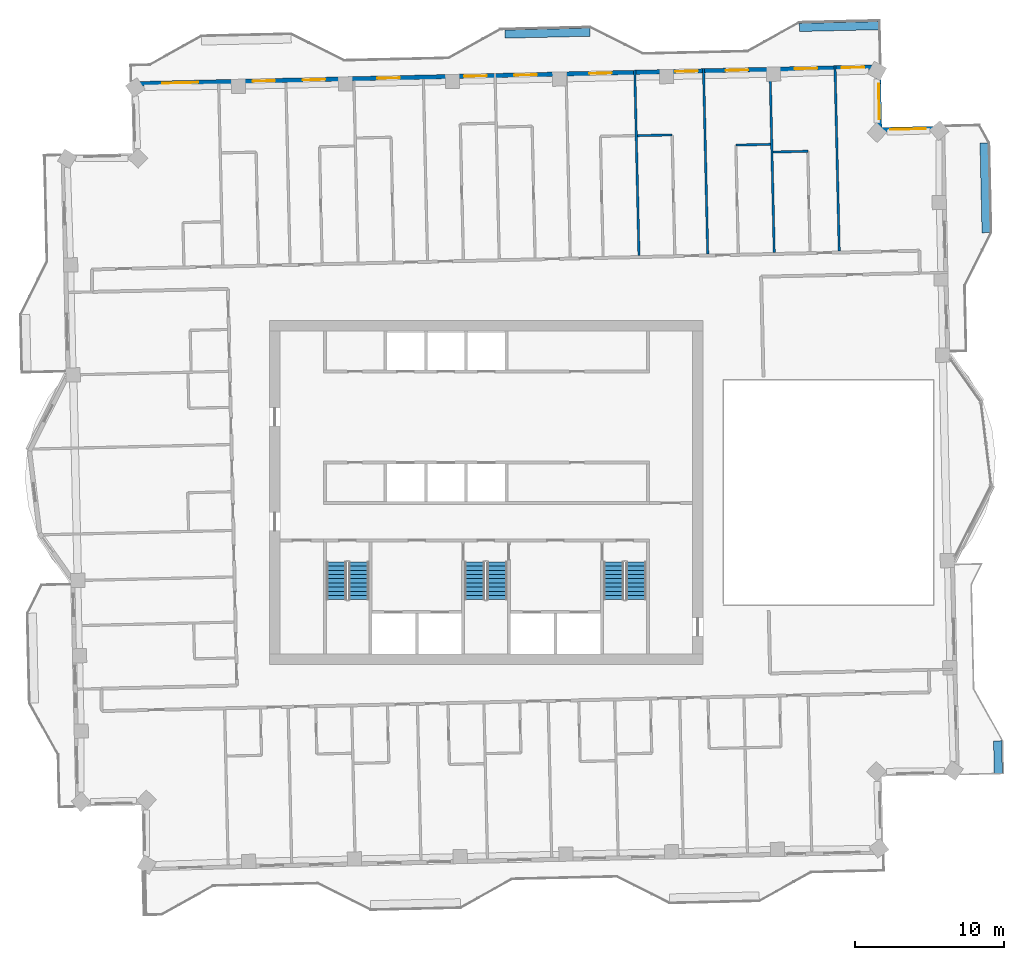
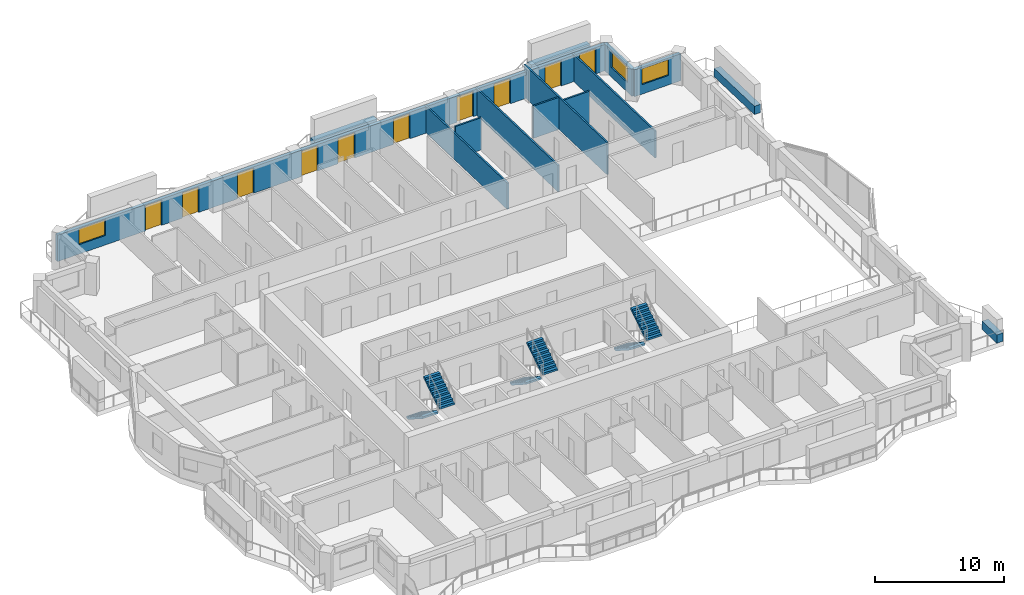
# One storey, part 15 of 20: 14 walls, 10 doors, 6 stair flights, 3 windows, 13 openings, 3 elements without a shape of their own.
"""IFC4 building model written with IfcOpenShell, lengths in metres."""

import ifcopenshell
import ifcopenshell.guid

model = None  # the IFC model being written
_history = None  # IfcOwnerHistory: only IFC2X3 demands one
_inside = {}  # id of a spatial element -> (the spatial element, [elements in it])
_under = {}  # id of a project, library or spatial element -> (it, [spatial elements below it])
_declared = {}  # id of a project -> (the project, [libraries it declares])
_typed = {}  # id of a type object -> (the type object, [elements of that type])
_made_of = {}  # id of a material, layer set ... -> (it, [elements and type objects made of it])


def new_model(schema):
    """Start an empty IFC model of exactly this schema.

    Asked for "IFC4X3", IfcOpenShell would pick the latest addendum, in which some entities
    have other attributes; the version numbers below select the first issue.
    IFC2X3 requires an IfcOwnerHistory on every rooted entity: one is made here for all.
    """
    global model, _history
    if schema == "IFC4X3":
        model = ifcopenshell.file(schema_version=(4, 3, 0, 0))
    else:
        model = ifcopenshell.file(schema=schema)
    _inside.clear()
    _under.clear()
    _declared.clear()
    _typed.clear()
    _made_of.clear()
    _history = None
    if model.schema == "IFC2X3":
        org = make("IfcOrganization", Name="unknown")
        user = make(
            "IfcPersonAndOrganization",
            ThePerson=make("IfcPerson", FamilyName="unknown"),
            TheOrganization=org,
        )
        app = make(
            "IfcApplication",
            ApplicationDeveloper=org,
            Version="unknown",
            ApplicationFullName="unknown",
            ApplicationIdentifier="unknown",
        )
        _history = make(
            "IfcOwnerHistory",
            OwningUser=user,
            OwningApplication=app,
            ChangeAction="ADDED",
            CreationDate=0,
        )
    return model


def make(cls, **values):
    """One entity of the class cls with the attributes given. An attribute that is None is left unset."""
    return model.create_entity(
        cls, **{name: value for name, value in values.items() if value is not None}
    )


def rooted(cls, **values):
    """An entity with a GlobalId (a new one), such as an element, a storey or a relation."""
    return make(cls, GlobalId=ifcopenshell.guid.new(), OwnerHistory=_history, **values)


def si_unit(unit_type, name, prefix=None):
    """IfcSIUnit, for example si_unit("LENGTHUNIT", "METRE", prefix="MILLI")."""
    return make("IfcSIUnit", UnitType=unit_type, Prefix=prefix, Name=name)


def assignment(units):
    """IfcUnitAssignment: the units of a project."""
    return None if units is None else make("IfcUnitAssignment", Units=units)


def point(xyz):
    """IfcCartesianPoint."""
    return None if xyz is None else make("IfcCartesianPoint", Coordinates=xyz)


def direction(xyz):
    """IfcDirection."""
    return None if xyz is None else make("IfcDirection", DirectionRatios=xyz)


def frame(location, z_axis=None, x_axis=None):
    """IfcAxis2Placement3D, a coordinate frame: its origin and axes. An axis left out is left unset."""
    return make(
        "IfcAxis2Placement3D",
        Location=point(location),
        Axis=direction(z_axis),
        RefDirection=direction(x_axis),
    )


def frame_2d(location, x_axis=None):
    """IfcAxis2Placement2D, a coordinate frame in the plane: its origin and x axis."""
    return make(
        "IfcAxis2Placement2D", Location=point(location), RefDirection=direction(x_axis)
    )


def origin():
    """The frame at (0, 0, 0) with its axes left unset."""
    return frame((0.0, 0.0, 0.0))


def place(relative_to, where):
    """IfcLocalPlacement: puts the frame where relative to a parent placement (None: the world)."""
    return make(
        "IfcLocalPlacement", PlacementRelTo=relative_to, RelativePlacement=where
    )


def context(
    kind, dimensions, precision=None, world=None, true_north=None, identifier=None
):
    """IfcGeometricRepresentationContext, for example the 3D "Model" context."""
    return make(
        "IfcGeometricRepresentationContext",
        ContextIdentifier=identifier,
        ContextType=kind,
        CoordinateSpaceDimension=dimensions,
        Precision=precision,
        WorldCoordinateSystem=world,
        TrueNorth=true_north,
    )


def subcontext(parent, identifier, kind, view, scale=None):
    """IfcGeometricRepresentationSubContext, for example "Body" below "Model"."""
    return make(
        "IfcGeometricRepresentationSubContext",
        ContextIdentifier=identifier,
        ContextType=kind,
        ParentContext=parent,
        TargetScale=scale,
        TargetView=view,
    )


def project(units=None, contexts=None):
    """IfcProject with its units and contexts."""
    return rooted(
        "IfcProject",
        Name="project",
        RepresentationContexts=contexts,
        UnitsInContext=assignment(units),
    )


def spatial(cls, under=None, at=None, **own):
    """A site, building, storey or space (cls), placed at a placement, below another one or the project."""
    s = rooted(cls, ObjectPlacement=at, **own)
    if under is not None:
        _under.setdefault(under.id(), (under, []))[1].append(s)
    return s


def polyline(points):
    """IfcPolyline through the points."""
    return make("IfcPolyline", Points=[point(p) for p in points])


def profile(cls, at=None, kind="AREA", **sizes):
    """A parametric profile (cls). Its sizes go by their IFC names, for example OverallWidth=200.0."""
    return make(cls, ProfileType=kind, Position=at, **sizes)


def rectangle(**sizes):
    """IfcRectangleProfileDef."""
    return profile("IfcRectangleProfileDef", **sizes)


def outline(outer, holes=None, kind="AREA"):
    """IfcArbitraryClosedProfileDef: a profile drawn as a closed curve; with holes, ...WithVoids."""
    if holes is None:
        return make("IfcArbitraryClosedProfileDef", ProfileType=kind, OuterCurve=outer)
    return make(
        "IfcArbitraryProfileDefWithVoids",
        ProfileType=kind,
        OuterCurve=outer,
        InnerCurves=holes,
    )


def extrude(swept, where, along, depth):
    """IfcExtrudedAreaSolid: the profile swept, set in the frame where, extruded along a direction by depth."""
    return make(
        "IfcExtrudedAreaSolid",
        SweptArea=swept,
        Position=where,
        ExtrudedDirection=direction(along),
        Depth=depth,
    )


def shape(context_of_items, identifier, shape_type, items):
    """IfcShapeRepresentation: the items that make up one representation, for example the "Body"."""
    return make(
        "IfcShapeRepresentation",
        ContextOfItems=context_of_items,
        RepresentationIdentifier=identifier,
        RepresentationType=shape_type,
        Items=items,
    )


def material(Name=None, Category=None):
    """IfcMaterial."""
    return make("IfcMaterial", Name=Name, Category=Category)


def layer(
    of_material, thickness, ventilated=None, Name=None, Category=None, Priority=None
):
    """IfcMaterialLayer: one layer of a wall or slab, of a material (None: an air gap)."""
    return make(
        "IfcMaterialLayer",
        Material=of_material,
        LayerThickness=thickness,
        IsVentilated=ventilated,
        Name=Name,
        Category=Category,
        Priority=Priority,
    )


def layer_set(layers, Name=None):
    """IfcMaterialLayerSet."""
    return make("IfcMaterialLayerSet", MaterialLayers=layers, LayerSetName=Name)


def made_of(thing, what):
    """Note that an element or type object is made of a material, layer set ...; save() writes the relation."""
    if what is not None:
        _made_of.setdefault(what.id(), (what, []))[1].append(thing)
    return thing


def type_object(cls, material=None, **own):
    """A type object (cls), such as IfcWallType, which elements share."""
    return made_of(rooted(cls, **own), material)


def element(
    cls,
    number,
    at=None,
    inside=None,
    cuts=None,
    type_object=None,
    material=None,
    context=None,
    identifier="Body",
    shape_type=None,
    held_by="IfcProductDefinitionShape",
    body=None,
    shapes=None,
    **own,
):
    """One element of the class cls, such as IfcWall. Its Tag is "e" and its number.

    at: its placement. inside: the storey or other place that contains it. cuts: it is an
    opening in that element (IfcRelVoidsElement). A single representation is given by context,
    identifier, shape_type and body (its items); several are given by shapes. held_by: the class
    of the entity that holds the representations. save() writes the other relations.
    """
    e = rooted(cls, Tag="e%d" % number, ObjectPlacement=at, **own)
    if body is not None:
        shapes = [shape(context, identifier, shape_type, body)]
    if shapes is not None:
        e.Representation = make(held_by, Representations=shapes)
    if inside is not None:
        _inside.setdefault(inside.id(), (inside, []))[1].append(e)
    if cuts is not None:
        rooted(
            "IfcRelVoidsElement", RelatingBuildingElement=cuts, RelatedOpeningElement=e
        )
    if type_object is not None:
        _typed.setdefault(type_object.id(), (type_object, []))[1].append(e)
    return made_of(e, material)


def fill(opening, filler):
    """IfcRelFillsElement: the door or window that sits in an opening."""
    return rooted(
        "IfcRelFillsElement",
        RelatingOpeningElement=opening,
        RelatedBuildingElement=filler,
    )


def aggregate(whole, parts):
    """IfcRelAggregates: a whole, such as a stair, and the parts it consists of."""
    return rooted("IfcRelAggregates", RelatingObject=whole, RelatedObjects=parts)


def save(model, path):
    """Write the relations noted so far, then the file.

    IfcRelAggregates (storeys below a building ...), IfcRelContainedInSpatialStructure (elements
    in a storey), IfcRelDefinesByType, IfcRelAssociatesMaterial and IfcRelDeclares: one each for
    every whole, place, type object, material and project.
    """
    for whole, parts in _under.values():
        aggregate(whole, parts)
    for where, things in _inside.values():
        rooted(
            "IfcRelContainedInSpatialStructure",
            RelatedElements=things,
            RelatingStructure=where,
        )
    for kind, things in _typed.values():
        rooted("IfcRelDefinesByType", RelatedObjects=things, RelatingType=kind)
    for what, things in _made_of.values():
        rooted("IfcRelAssociatesMaterial", RelatedObjects=things, RelatingMaterial=what)
    for by, libraries in _declared.values():
        rooted("IfcRelDeclares", RelatingContext=by, RelatedDefinitions=libraries)
    model.write(path)


model = new_model("IFC4")

# Units and contexts
model_context = context("Model", 3, precision=1e-05, world=origin(), true_north=direction((0.0, 1.0)))
body_context = subcontext(model_context, "Body", "Model", "MODEL_VIEW")
ifc_project = project(units=[si_unit("LENGTHUNIT", "METRE"), si_unit("AREAUNIT", "SQUARE_METRE"), si_unit("VOLUMEUNIT", "CUBIC_METRE"), si_unit("PLANEANGLEUNIT", "RADIAN"), si_unit("MASSUNIT", "GRAM", prefix="KILO")], contexts=[model_context])

# Site, building, storey
site_placement = place(None, origin())
site = spatial("IfcSite", under=ifc_project, at=site_placement, CompositionType="ELEMENT")
building_placement = place(site_placement, origin())
building = spatial("IfcBuilding", under=site, at=building_placement, Name="Mangrove Gate Tower", CompositionType="ELEMENT")
storey_placement = place(building_placement, frame((0.0, 0.0, 279.89990234375)))
storey = spatial("IfcBuildingStorey", under=building, at=storey_placement, Name="L71", CompositionType="ELEMENT", Elevation=279.89990234375)

# Wall, opening, window
ifc_material_1 = material(Name="Limestone", Category="masonry")
ifc_layer_1 = layer(ifc_material_1, 0.0400390625, Name="Limestone cladding")
ifc_material_2 = material(Name="Ventilated air gap")
ifc_layer_2 = layer(ifc_material_2, 0.0400390625, Name="Ventilated cavity")
ifc_material_3 = material(Name="Mineral wool insulation")
ifc_layer_3 = layer(ifc_material_3, 0.06005859375, Name="Insulation")
ifc_material_4 = material(Name="Breather membrane")
ifc_layer_4 = layer(ifc_material_4, 0.001953125, Name="Breather membrane")
ifc_material_5 = material(Name="Concrete C20/25 blockwork", Category="masonry")
ifc_layer_5 = layer(ifc_material_5, 0.14990234375, Name="Blockwork backing wall")
ifc_material_6 = material(Name="Gypsum plaster")
ifc_layer_6 = layer(ifc_material_6, 0.008056640625, Name="Internal plaster")
ifc_layer_set_1 = layer_set([ifc_layer_1, ifc_layer_2, ifc_layer_3, ifc_layer_4, ifc_layer_5, ifc_layer_6], Name="External wall 300 limestone cladding")
wall_type_1 = type_object("IfcWallType", Name="External wall 300 limestone cladding", PredefinedType="SOLIDWALL", material=ifc_layer_set_1)
wall_1_placement = place(storey_placement, frame((30.510009765625, 24.362060546875, 0.0), z_axis=(0.0, 0.0, 1.0), x_axis=(-0.999739037152, -0.022844202663, 0.0)))
wall_1 = element("IfcWall", 1, at=wall_1_placement, inside=storey, type_object=wall_type_1, Name="WALL-L71-N3", PredefinedType="SOLIDWALL", context=body_context, shape_type="SweptSolid", body=[
    extrude(rectangle(XDim=4.199951171875, YDim=0.300048828125, at=frame_2d((2.10009765625, 0.0))), origin(), (0.0, 0.0, 1.0), 2.550048828125),
])
opening_1_placement = place(wall_1_placement, frame((1.10009765625, 0.0, 0.89990234375)))
opening_1 = element("IfcOpeningElement", 2, at=opening_1_placement, cuts=wall_1, Name="Opening W2", PredefinedType="OPENING", context=body_context, shape_type="SweptSolid", body=[
    extrude(rectangle(XDim=2.39990234375, YDim=1.5, at=frame_2d((1.199951171875, 0.75))), frame((0.0, 0.159912109375, 0.0), z_axis=(0.0, -1.0, 0.0), x_axis=(1.0, 0.0, 0.0)), (0.0, 0.0, 1.0), 0.320068359375),
])
ifc_material_7 = material(Name="Aluminium frame with double-glazed low-e glass", Category="aluminium")
window_type = type_object("IfcWindowType", Name="Corner room window 2400x1500", PartitioningType="DOUBLE_PANEL_VERTICAL", PredefinedType="WINDOW", material=ifc_material_7)
window_1_placement = place(opening_1_placement, origin())
window_1 = element("IfcWindow", 3, at=window_1_placement, inside=storey, type_object=window_type, Name="WIN-L71-N3-1", OverallHeight=1.5, OverallWidth=2.39990234375, PartitioningType="DOUBLE_PANEL_VERTICAL", PredefinedType="WINDOW", context=body_context, shape_type="SweptSolid", body=[
    extrude(rectangle(XDim=2.39990234375, YDim=1.5, at=frame_2d((1.199951171875, 0.75))), frame((0.0, 0.030029296875, 0.0), z_axis=(0.0, -1.0, 0.0), x_axis=(1.0, 0.0, 0.0)), (0.0, 0.0, 1.0), 0.06005859375),
])
fill(opening_1, window_1)

wall_2_placement = place(storey_placement, frame((26.31103515625, 24.26611328125, 0.0), z_axis=(0.0, 0.0, 1.0), x_axis=(-0.022611811187, 0.999744320311, 0.0)))
wall_2 = element("IfcWall", 4, at=wall_2_placement, inside=storey, type_object=wall_type_1, Name="WALL-L71-E4", PredefinedType="SOLIDWALL", context=body_context, shape_type="SweptSolid", body=[
    extrude(rectangle(XDim=4.199951171875, YDim=0.300048828125, at=frame_2d((2.10009765625, 0.0))), origin(), (0.0, 0.0, 1.0), 2.550048828125),
])
opening_2_placement = place(wall_2_placement, frame((0.68798828125, 0.0, 0.89990234375)))
opening_2 = element("IfcOpeningElement", 5, at=opening_2_placement, cuts=wall_2, Name="Opening W2", PredefinedType="OPENING", context=body_context, shape_type="SweptSolid", body=[
    extrude(rectangle(XDim=2.39990234375, YDim=1.5, at=frame_2d((1.199951171875, 0.75))), frame((0.0, 0.159912109375, 0.0), z_axis=(0.0, -1.0, 0.0), x_axis=(1.0, 0.0, 0.0)), (0.0, 0.0, 1.0), 0.320068359375),
])
window_2_placement = place(opening_2_placement, origin())
window_2 = element("IfcWindow", 6, at=window_2_placement, inside=storey, type_object=window_type, Name="WIN-L71-E4-1", OverallHeight=1.5, OverallWidth=2.39990234375, PartitioningType="DOUBLE_PANEL_VERTICAL", PredefinedType="WINDOW", context=body_context, shape_type="SweptSolid", body=[
    extrude(rectangle(XDim=2.39990234375, YDim=1.5, at=frame_2d((1.199951171875, 0.75))), frame((0.0, 0.030029296875, 0.0), z_axis=(0.0, -1.0, 0.0), x_axis=(1.0, 0.0, 0.0)), (0.0, 0.0, 1.0), 0.06005859375),
])
fill(opening_2, window_2)

# Wall, openings, doors, window
wall_3_placement = place(storey_placement, frame((26.216064453125, 28.465087890625, 0.0), z_axis=(0.0, 0.0, 1.0), x_axis=(-0.999742843677, -0.022677004157, 0.0)))
wall_3 = element("IfcWall", 7, at=wall_3_placement, inside=storey, type_object=wall_type_1, Name="WALL-L71-N5", PredefinedType="SOLIDWALL", context=body_context, shape_type="SweptSolid", body=[
    extrude(rectangle(XDim=49.835693359375, YDim=0.300048828125, at=frame_2d((24.91796875, 0.0))), origin(), (0.0, 0.0, 1.0), 2.5),
])
opening_3_placement = place(wall_3_placement, frame((0.93798828125, 0.0, 0.0)))
opening_3 = element("IfcOpeningElement", 8, at=opening_3_placement, cuts=wall_3, Name="Opening BD1", PredefinedType="OPENING", context=body_context, shape_type="SweptSolid", body=[
    extrude(rectangle(XDim=1.5, YDim=2.39990234375, at=frame_2d((0.75, 1.199951171875))), frame((0.0, 0.159912109375, 0.0), z_axis=(0.0, -1.0, 0.0), x_axis=(1.0, 0.0, 0.0)), (0.0, 0.0, 1.0), 0.320068359375),
])
opening_4_placement = place(wall_3_placement, frame((4.0869140625, 0.0, 0.0)))
opening_4 = element("IfcOpeningElement", 9, at=opening_4_placement, cuts=wall_3, Name="Opening BD1", PredefinedType="OPENING", context=body_context, shape_type="SweptSolid", body=[
    extrude(rectangle(XDim=1.5, YDim=2.39990234375, at=frame_2d((0.75, 1.199951171875))), frame((0.0, 0.159912109375, 0.0), z_axis=(0.0, -1.0, 0.0), x_axis=(1.0, 0.0, 0.0)), (0.0, 0.0, 1.0), 0.320068359375),
])
opening_5_placement = place(wall_3_placement, frame((8.7109375, 0.0, 0.0)))
opening_5 = element("IfcOpeningElement", 10, at=opening_5_placement, cuts=wall_3, Name="Opening BD1", PredefinedType="OPENING", context=body_context, shape_type="SweptSolid", body=[
    extrude(rectangle(XDim=1.5, YDim=2.39990234375, at=frame_2d((0.75, 1.199951171875))), frame((0.0, 0.159912109375, 0.0), z_axis=(0.0, -1.0, 0.0), x_axis=(1.0, 0.0, 0.0)), (0.0, 0.0, 1.0), 0.320068359375),
])
opening_6_placement = place(wall_3_placement, frame((12.06689453125, 0.0, 0.0)))
opening_6 = element("IfcOpeningElement", 11, at=opening_6_placement, cuts=wall_3, Name="Opening BD1", PredefinedType="OPENING", context=body_context, shape_type="SweptSolid", body=[
    extrude(rectangle(XDim=1.5, YDim=2.39990234375, at=frame_2d((0.75, 1.199951171875))), frame((0.0, 0.159912109375, 0.0), z_axis=(0.0, -1.0, 0.0), x_axis=(1.0, 0.0, 0.0)), (0.0, 0.0, 1.0), 0.320068359375),
])
opening_7_placement = place(wall_3_placement, frame((17.8359375, 0.0, 0.0)))
opening_7 = element("IfcOpeningElement", 12, at=opening_7_placement, cuts=wall_3, Name="Opening BD1", PredefinedType="OPENING", context=body_context, shape_type="SweptSolid", body=[
    extrude(rectangle(XDim=1.5, YDim=2.39990234375, at=frame_2d((0.75, 1.199951171875))), frame((0.0, 0.159912109375, 0.0), z_axis=(0.0, -1.0, 0.0), x_axis=(1.0, 0.0, 0.0)), (0.0, 0.0, 1.0), 0.320068359375),
])
opening_8_placement = place(wall_3_placement, frame((22.84912109375, 0.0, 0.0)))
opening_8 = element("IfcOpeningElement", 13, at=opening_8_placement, cuts=wall_3, Name="Opening BD1", PredefinedType="OPENING", context=body_context, shape_type="SweptSolid", body=[
    extrude(rectangle(XDim=1.5, YDim=2.39990234375, at=frame_2d((0.75, 1.199951171875))), frame((0.0, 0.159912109375, 0.0), z_axis=(0.0, -1.0, 0.0), x_axis=(1.0, 0.0, 0.0)), (0.0, 0.0, 1.0), 0.320068359375),
])
opening_9_placement = place(wall_3_placement, frame((26.205078125, 0.0, 0.0)))
opening_9 = element("IfcOpeningElement", 14, at=opening_9_placement, cuts=wall_3, Name="Opening BD1", PredefinedType="OPENING", context=body_context, shape_type="SweptSolid", body=[
    extrude(rectangle(XDim=1.5, YDim=2.39990234375, at=frame_2d((0.75, 1.199951171875))), frame((0.0, 0.159912109375, 0.0), z_axis=(0.0, -1.0, 0.0), x_axis=(1.0, 0.0, 0.0)), (0.0, 0.0, 1.0), 0.320068359375),
])
opening_10_placement = place(wall_3_placement, frame((32.010986328125, 0.0, 0.0)))
opening_10 = element("IfcOpeningElement", 15, at=opening_10_placement, cuts=wall_3, Name="Opening BD1", PredefinedType="OPENING", context=body_context, shape_type="SweptSolid", body=[
    extrude(rectangle(XDim=1.5, YDim=2.39990234375, at=frame_2d((0.75, 1.199951171875))), frame((0.0, 0.159912109375, 0.0), z_axis=(0.0, -1.0, 0.0), x_axis=(1.0, 0.0, 0.0)), (0.0, 0.0, 1.0), 0.320068359375),
])
opening_11_placement = place(wall_3_placement, frame((37.010986328125, 0.0, 0.0)))
opening_11 = element("IfcOpeningElement", 16, at=opening_11_placement, cuts=wall_3, Name="Opening BD1", PredefinedType="OPENING", context=body_context, shape_type="SweptSolid", body=[
    extrude(rectangle(XDim=1.5, YDim=2.39990234375, at=frame_2d((0.75, 1.199951171875))), frame((0.0, 0.159912109375, 0.0), z_axis=(0.0, -1.0, 0.0), x_axis=(1.0, 0.0, 0.0)), (0.0, 0.0, 1.0), 0.320068359375),
])
opening_12_placement = place(wall_3_placement, frame((40.366943359375, 0.0, 0.0)))
opening_12 = element("IfcOpeningElement", 17, at=opening_12_placement, cuts=wall_3, Name="Opening BD1", PredefinedType="OPENING", context=body_context, shape_type="SweptSolid", body=[
    extrude(rectangle(XDim=1.5, YDim=2.39990234375, at=frame_2d((0.75, 1.199951171875))), frame((0.0, 0.159912109375, 0.0), z_axis=(0.0, -1.0, 0.0), x_axis=(1.0, 0.0, 0.0)), (0.0, 0.0, 1.0), 0.320068359375),
])
opening_13_placement = place(wall_3_placement, frame((45.4990234375, 0.0, 0.89990234375)))
opening_13 = element("IfcOpeningElement", 18, at=opening_13_placement, cuts=wall_3, Name="Opening W2", PredefinedType="OPENING", context=body_context, shape_type="SweptSolid", body=[
    extrude(rectangle(XDim=2.39990234375, YDim=1.5, at=frame_2d((1.199951171875, 0.75))), frame((0.0, 0.159912109375, 0.0), z_axis=(0.0, -1.0, 0.0), x_axis=(1.0, 0.0, 0.0)), (0.0, 0.0, 1.0), 0.320068359375),
])
ifc_material_8 = material(Name="Aluminium frame with laminated clear glass", Category="aluminium")
door_type = type_object("IfcDoorType", Name="Balcony sliding door 1500x2400", OperationType="SLIDING_TO_LEFT", PredefinedType="DOOR", material=ifc_material_8)
door_1_placement = place(opening_3_placement, origin())
door_1 = element("IfcDoor", 19, at=door_1_placement, inside=storey, type_object=door_type, Name="DOOR-L71-N5-1", OperationType="SLIDING_TO_LEFT", OverallHeight=2.39990234375, OverallWidth=1.5, PredefinedType="DOOR", context=body_context, shape_type="SweptSolid", body=[
    extrude(rectangle(XDim=1.5, YDim=2.39990234375, at=frame_2d((0.75, 1.199951171875))), frame((0.0, 0.02490234375, 0.0), z_axis=(0.0, -1.0, 0.0), x_axis=(1.0, 0.0, 0.0)), (0.0, 0.0, 1.0), 0.050048828125),
])
fill(opening_3, door_1)
door_2_placement = place(opening_4_placement, origin())
door_2 = element("IfcDoor", 20, at=door_2_placement, inside=storey, type_object=door_type, Name="DOOR-L71-N5-2", OperationType="SLIDING_TO_LEFT", OverallHeight=2.39990234375, OverallWidth=1.5, PredefinedType="DOOR", context=body_context, shape_type="SweptSolid", body=[
    extrude(rectangle(XDim=1.5, YDim=2.39990234375, at=frame_2d((0.75, 1.199951171875))), frame((0.0, 0.02490234375, 0.0), z_axis=(0.0, -1.0, 0.0), x_axis=(1.0, 0.0, 0.0)), (0.0, 0.0, 1.0), 0.050048828125),
])
fill(opening_4, door_2)
door_3_placement = place(opening_5_placement, origin())
door_3 = element("IfcDoor", 21, at=door_3_placement, inside=storey, type_object=door_type, Name="DOOR-L71-N5-3", OperationType="SLIDING_TO_LEFT", OverallHeight=2.39990234375, OverallWidth=1.5, PredefinedType="DOOR", context=body_context, shape_type="SweptSolid", body=[
    extrude(rectangle(XDim=1.5, YDim=2.39990234375, at=frame_2d((0.75, 1.199951171875))), frame((0.0, 0.02490234375, 0.0), z_axis=(0.0, -1.0, 0.0), x_axis=(1.0, 0.0, 0.0)), (0.0, 0.0, 1.0), 0.050048828125),
])
fill(opening_5, door_3)
door_4_placement = place(opening_6_placement, origin())
door_4 = element("IfcDoor", 22, at=door_4_placement, inside=storey, type_object=door_type, Name="DOOR-L71-N5-4", OperationType="SLIDING_TO_LEFT", OverallHeight=2.39990234375, OverallWidth=1.5, PredefinedType="DOOR", context=body_context, shape_type="SweptSolid", body=[
    extrude(rectangle(XDim=1.5, YDim=2.39990234375, at=frame_2d((0.75, 1.199951171875))), frame((0.0, 0.02490234375, 0.0), z_axis=(0.0, -1.0, 0.0), x_axis=(1.0, 0.0, 0.0)), (0.0, 0.0, 1.0), 0.050048828125),
])
fill(opening_6, door_4)
door_5_placement = place(opening_7_placement, origin())
door_5 = element("IfcDoor", 23, at=door_5_placement, inside=storey, type_object=door_type, Name="DOOR-L71-N5-5", OperationType="SLIDING_TO_LEFT", OverallHeight=2.39990234375, OverallWidth=1.5, PredefinedType="DOOR", context=body_context, shape_type="SweptSolid", body=[
    extrude(rectangle(XDim=1.5, YDim=2.39990234375, at=frame_2d((0.75, 1.199951171875))), frame((0.0, 0.02490234375, 0.0), z_axis=(0.0, -1.0, 0.0), x_axis=(1.0, 0.0, 0.0)), (0.0, 0.0, 1.0), 0.050048828125),
])
fill(opening_7, door_5)
door_6_placement = place(opening_8_placement, origin())
door_6 = element("IfcDoor", 24, at=door_6_placement, inside=storey, type_object=door_type, Name="DOOR-L71-N5-6", OperationType="SLIDING_TO_LEFT", OverallHeight=2.39990234375, OverallWidth=1.5, PredefinedType="DOOR", context=body_context, shape_type="SweptSolid", body=[
    extrude(rectangle(XDim=1.5, YDim=2.39990234375, at=frame_2d((0.75, 1.199951171875))), frame((0.0, 0.02490234375, 0.0), z_axis=(0.0, -1.0, 0.0), x_axis=(1.0, 0.0, 0.0)), (0.0, 0.0, 1.0), 0.050048828125),
])
fill(opening_8, door_6)
door_7_placement = place(opening_9_placement, origin())
door_7 = element("IfcDoor", 25, at=door_7_placement, inside=storey, type_object=door_type, Name="DOOR-L71-N5-7", OperationType="SLIDING_TO_LEFT", OverallHeight=2.39990234375, OverallWidth=1.5, PredefinedType="DOOR", context=body_context, shape_type="SweptSolid", body=[
    extrude(rectangle(XDim=1.5, YDim=2.39990234375, at=frame_2d((0.75, 1.199951171875))), frame((0.0, 0.02490234375, 0.0), z_axis=(0.0, -1.0, 0.0), x_axis=(1.0, 0.0, 0.0)), (0.0, 0.0, 1.0), 0.050048828125),
])
fill(opening_9, door_7)
door_8_placement = place(opening_10_placement, origin())
door_8 = element("IfcDoor", 26, at=door_8_placement, inside=storey, type_object=door_type, Name="DOOR-L71-N5-8", OperationType="SLIDING_TO_LEFT", OverallHeight=2.39990234375, OverallWidth=1.5, PredefinedType="DOOR", context=body_context, shape_type="SweptSolid", body=[
    extrude(rectangle(XDim=1.5, YDim=2.39990234375, at=frame_2d((0.75, 1.199951171875))), frame((0.0, 0.02490234375, 0.0), z_axis=(0.0, -1.0, 0.0), x_axis=(1.0, 0.0, 0.0)), (0.0, 0.0, 1.0), 0.050048828125),
])
fill(opening_10, door_8)
door_9_placement = place(opening_11_placement, origin())
door_9 = element("IfcDoor", 27, at=door_9_placement, inside=storey, type_object=door_type, Name="DOOR-L71-N5-9", OperationType="SLIDING_TO_LEFT", OverallHeight=2.39990234375, OverallWidth=1.5, PredefinedType="DOOR", context=body_context, shape_type="SweptSolid", body=[
    extrude(rectangle(XDim=1.5, YDim=2.39990234375, at=frame_2d((0.75, 1.199951171875))), frame((0.0, 0.02490234375, 0.0), z_axis=(0.0, -1.0, 0.0), x_axis=(1.0, 0.0, 0.0)), (0.0, 0.0, 1.0), 0.050048828125),
])
fill(opening_11, door_9)
door_10_placement = place(opening_12_placement, origin())
door_10 = element("IfcDoor", 28, at=door_10_placement, inside=storey, type_object=door_type, Name="DOOR-L71-N5-10", OperationType="SLIDING_TO_LEFT", OverallHeight=2.39990234375, OverallWidth=1.5, PredefinedType="DOOR", context=body_context, shape_type="SweptSolid", body=[
    extrude(rectangle(XDim=1.5, YDim=2.39990234375, at=frame_2d((0.75, 1.199951171875))), frame((0.0, 0.02490234375, 0.0), z_axis=(0.0, -1.0, 0.0), x_axis=(1.0, 0.0, 0.0)), (0.0, 0.0, 1.0), 0.050048828125),
])
fill(opening_12, door_10)
window_3_placement = place(opening_13_placement, origin())
window_3 = element("IfcWindow", 29, at=window_3_placement, inside=storey, type_object=window_type, Name="WIN-L71-N5-11", OverallHeight=1.5, OverallWidth=2.39990234375, PartitioningType="DOUBLE_PANEL_VERTICAL", PredefinedType="WINDOW", context=body_context, shape_type="SweptSolid", body=[
    extrude(rectangle(XDim=2.39990234375, YDim=1.5, at=frame_2d((1.199951171875, 0.75))), frame((0.0, 0.030029296875, 0.0), z_axis=(0.0, -1.0, 0.0), x_axis=(1.0, 0.0, 0.0)), (0.0, 0.0, 1.0), 0.06005859375),
])
fill(opening_13, window_3)

# Walls
ifc_material_9 = material(Name="Gypsum board on steel stud, EI 60", Category="steel")
ifc_layer_7 = layer(ifc_material_9, 0.14990234375)
ifc_layer_set_2 = layer_set([ifc_layer_7], Name="Party wall 150 EI 60")
wall_type_2 = type_object("IfcWallType", Name="Party wall 150 EI 60", PredefinedType="PARTITIONING", material=ifc_layer_set_2)
wall_4_placement = place(storey_placement, frame((10.2099609375, 15.84912109375, 0.0), z_axis=(0.0, 0.0, 1.0), x_axis=(-0.022661475803, 0.999743195783, 0.0)))
element("IfcWall", 30, at=wall_4_placement, inside=storey, type_object=wall_type_2, Name="WALL-L71-071", PredefinedType="PARTITIONING", context=body_context, shape_type="SweptSolid", body=[
    extrude(rectangle(XDim=12.400146484375, YDim=0.14990234375, at=frame_2d((6.2001953125, 0.0))), origin(), (0.0, 0.0, 1.0), 2.5),
])
wall_5_placement = place(storey_placement, frame((14.80908203125, 15.952880859375, 0.0), z_axis=(0.0, 0.0, 1.0), x_axis=(-0.022661029756, 0.999743205894, 0.0)))
element("IfcWall", 31, at=wall_5_placement, inside=storey, type_object=wall_type_2, Name="WALL-L71-073", PredefinedType="PARTITIONING", context=body_context, shape_type="SweptSolid", body=[
    extrude(rectangle(XDim=12.400390625, YDim=0.14990234375, at=frame_2d((6.2001953125, 0.0))), origin(), (0.0, 0.0, 1.0), 2.5),
])
wall_6_placement = place(storey_placement, frame((19.258056640625, 16.053955078125, 0.0), z_axis=(0.0, 0.0, 1.0), x_axis=(-0.022740189192, 0.999741408463, 0.0)))
element("IfcWall", 32, at=wall_6_placement, inside=storey, type_object=wall_type_2, Name="WALL-L71-075", PredefinedType="PARTITIONING", context=body_context, shape_type="SweptSolid", body=[
    extrude(rectangle(XDim=12.400146484375, YDim=0.14990234375, at=frame_2d((6.2001953125, 0.0))), origin(), (0.0, 0.0, 1.0), 3.050048828125),
])
wall_7_placement = place(storey_placement, frame((23.60693359375, 16.153076171875, 0.0), z_axis=(0.0, 0.0, 1.0), x_axis=(-0.022740189192, 0.999741408463, 0.0)))
element("IfcWall", 33, at=wall_7_placement, inside=storey, type_object=wall_type_2, Name="WALL-L71-077", PredefinedType="PARTITIONING", context=body_context, shape_type="SweptSolid", body=[
    extrude(rectangle(XDim=12.400146484375, YDim=0.14990234375, at=frame_2d((6.2001953125, 0.0))), origin(), (0.0, 0.0, 1.0), 2.550048828125),
])
wall_8_placement = place(storey_placement, frame((19.181884765625, 22.77392578125, 0.0), z_axis=(0.0, 0.0, 1.0), x_axis=(0.99974053329, 0.022778632478, 0.0)))
element("IfcWall", 34, at=wall_8_placement, inside=storey, type_object=wall_type_2, Name="WALL-L71-079", PredefinedType="PARTITIONING", context=body_context, shape_type="SweptSolid", body=[
    extrude(rectangle(XDim=2.32568359375, YDim=0.14990234375, at=frame_2d((1.162841796875, 0.0))), origin(), (0.0, 0.0, 1.0), 3.050048828125),
])
for number, where, z_axis, x_axis, name in (
    (35, (16.696044921875, 23.238037109375, 0.0), (0.0, 0.0, 1.0), (0.999740478815, 0.022781023197, 0.0), "WALL-L71-080"),
    (36, (10.10498046875, 23.868896484375, 0.0), (0.0, 0.0, 1.0), (0.999749954681, 0.022361308448, 0.0), "WALL-L71-083"),
):
    element("IfcWall", number, at=place(storey_placement, frame(where, z_axis=z_axis, x_axis=x_axis)), inside=storey, type_object=wall_type_2, Name=name, PredefinedType="PARTITIONING", context=body_context, shape_type="SweptSolid", body=[
        extrude(rectangle(XDim=2.325439453125, YDim=0.14990234375, at=frame_2d((1.16259765625, 0.0))), origin(), (0.0, 0.0, 1.0), 3.050048828125),
    ])
ifc_material_10 = material(Name="Concrete C32/40", Category="concrete")
ifc_layer_8 = layer(ifc_material_10, 0.199951171875, Name="Planter trough wall")
ifc_material_11 = material(Name="Bituminous waterproofing membrane")
ifc_layer_9 = layer(ifc_material_11, 0.0048828125, Name="Waterproofing")
ifc_material_12 = material(Name="Drainage board and gravel")
ifc_layer_10 = layer(ifc_material_12, 0.044921875, Name="Drainage layer")
ifc_material_13 = material(Name="Planting soil")
ifc_layer_11 = layer(ifc_material_13, 0.300048828125, Name="Growing medium")
ifc_layer_set_3 = layer_set([ifc_layer_8, ifc_layer_9, ifc_layer_10, ifc_layer_11], Name="Planter wall 550 C32/40")
wall_type_3 = type_object("IfcWallType", Name="Planter wall 550 C32/40", PredefinedType="USERDEFINED", material=ifc_layer_set_3)
wall_9_placement = place(storey_placement, frame((34.256103515625, -18.81396484375, 0.0), z_axis=(0.0, 0.0, 1.0), x_axis=(-0.022754182687, 0.999741090068, 0.0)))
element("IfcWall", 37, at=wall_9_placement, inside=storey, type_object=wall_type_3, Name="PLANTER L71 E0.1", ObjectType="PLANTER", PredefinedType="USERDEFINED", context=body_context, shape_type="SweptSolid", body=[
    extrude(rectangle(XDim=2.199462890625, YDim=0.550048828125, at=frame_2d((1.099609375, 0.0))), origin(), (0.0, 0.0, 1.0), 0.800048828125),
])
wall_10_placement = place(storey_placement, frame((33.43408203125, 17.376953125, 0.0), z_axis=(0.0, 0.0, 1.0), x_axis=(-0.022665943652, 0.999743094499, 0.0)))
element("IfcWall", 38, at=wall_10_placement, inside=storey, type_object=wall_type_3, Name="PLANTER L71 E1.1", ObjectType="PLANTER", PredefinedType="USERDEFINED", context=body_context, shape_type="SweptSolid", body=[
    extrude(rectangle(XDim=5.99951171875, YDim=0.550048828125, at=frame_2d((2.999755859375, 0.0))), origin(), (0.0, 0.0, 1.0), 0.800048828125),
])
wall_11_placement = place(storey_placement, frame((1.240966796875, 30.6640625, 0.0), z_axis=(0.0, 0.0, 1.0), x_axis=(0.999740396355, 0.022784641685, 0.0)))
element("IfcWall", 39, at=wall_11_placement, inside=storey, type_object=wall_type_3, Name="PLANTER L71 N0.1", ObjectType="PLANTER", PredefinedType="USERDEFINED", context=body_context, shape_type="SweptSolid", body=[
    extrude(rectangle(XDim=5.700439453125, YDim=0.550048828125, at=frame_2d((2.85009765625, 0.0))), origin(), (0.0, 0.0, 1.0), 0.800048828125),
])
wall_12_placement = place(storey_placement, frame((20.93603515625, 31.111083984375, 0.0), z_axis=(0.0, 0.0, 1.0), x_axis=(0.999742469077, 0.022693512809, 0.0)))
element("IfcWall", 40, at=wall_12_placement, inside=storey, type_object=wall_type_3, Name="PLANTER L71 N0.2", ObjectType="PLANTER", PredefinedType="USERDEFINED", context=body_context, shape_type="SweptSolid", body=[
    extrude(rectangle(XDim=5.368408203125, YDim=0.550048828125, at=frame_2d((2.68408203125, 0.0))), origin(), (0.0, 0.0, 1.0), 0.800048828125),
])

# Stair, stair flights
ifc_material_14 = material(Name="Concrete C40/50", Category="concrete")
stair_type = type_object("IfcStairType", Name="Core stair 1350", PredefinedType="HALF_TURN_STAIR", material=ifc_material_14)
stair_1_placement = place(storey_placement, origin())
stair_1 = element("IfcStair", 41, at=stair_1_placement, inside=storey, type_object=stair_type, Name="L71 Stair 1", PredefinedType="HALF_TURN_STAIR")
ifc_material_15 = material(Name="Concrete C40/50", Category="concrete")
stair_flight_type = type_object("IfcStairFlightType", Name="Core stair flight 1350", PredefinedType="STRAIGHT", material=ifc_material_15)
stair_flight_1_placement = place(storey_placement, frame((-10.02490234375, -4.64990234375, 0.0), z_axis=(0.0, 0.0, 1.0), x_axis=(0.0, -1.0, 0.0)))
stair_flight_1 = element("IfcStairFlight", 42, at=stair_flight_1_placement, type_object=stair_flight_type, Name="ST1 flight 1", NumberOfRisers=10, NumberOfTreads=9, PredefinedType="STRAIGHT", RiserHeight=0.18, TreadLength=0.28, context=body_context, shape_type="SweptSolid", body=[
    extrude(outline(polyline([(0.0, 0.0), (0.0, 0.179931640625), (0.280029296875, 0.179931640625), (0.280029296875, 0.360107421875), (0.56005859375, 0.360107421875), (0.56005859375, 0.5400390625), (0.840087890625, 0.5400390625), (0.840087890625, 0.719970703125), (1.1201171875, 0.719970703125), (1.1201171875, 0.89990234375), (1.39990234375, 0.89990234375), (1.39990234375, 1.080078125), (1.679931640625, 1.080078125), (1.679931640625, 1.260009765625), (1.9599609375, 1.260009765625), (1.9599609375, 1.43994140625), (2.239990234375, 1.43994140625), (2.239990234375, 1.6201171875), (2.52001953125, 1.6201171875), (2.52001953125, 1.800048828125), (2.52001953125, 1.44189453125), (0.277099609375, 0.0), (0.0, 0.0)])), frame((0.0, 0.675048828125, 0.0), z_axis=(0.0, -1.0, 0.0), x_axis=(1.0, 0.0, 0.0)), (0.0, 0.0, 1.0), 1.35009765625),
])
stair_flight_2_placement = place(storey_placement, frame((-8.52490234375, -7.169921875, 1.800048828125), z_axis=(0.0, 0.0, 1.0), x_axis=(0.0, 1.0, 0.0)))
stair_flight_2 = element("IfcStairFlight", 43, at=stair_flight_2_placement, type_object=stair_flight_type, Name="ST1 flight 2", NumberOfRisers=10, NumberOfTreads=9, PredefinedType="STRAIGHT", RiserHeight=0.18, TreadLength=0.28, context=body_context, shape_type="SweptSolid", body=[
    extrude(outline(polyline([(0.0, 0.0), (0.0, 0.179931640625), (0.280029296875, 0.179931640625), (0.280029296875, 0.360107421875), (0.56005859375, 0.360107421875), (0.56005859375, 0.5400390625), (0.840087890625, 0.5400390625), (0.840087890625, 0.719970703125), (1.1201171875, 0.719970703125), (1.1201171875, 0.89990234375), (1.39990234375, 0.89990234375), (1.39990234375, 1.080078125), (1.679931640625, 1.080078125), (1.679931640625, 1.260009765625), (1.9599609375, 1.260009765625), (1.9599609375, 1.43994140625), (2.239990234375, 1.43994140625), (2.239990234375, 1.6201171875), (2.52001953125, 1.6201171875), (2.52001953125, 1.800048828125), (2.52001953125, 1.44189453125), (0.277099609375, 0.0), (0.0, 0.0)])), frame((0.0, 0.675048828125, 0.0), z_axis=(0.0, -1.0, 0.0), x_axis=(1.0, 0.0, 0.0)), (0.0, 0.0, 1.0), 1.35009765625),
])
aggregate(stair_1, [stair_flight_1, stair_flight_2])

stair_2_placement = place(storey_placement, origin())
stair_2 = element("IfcStair", 44, at=stair_2_placement, inside=storey, type_object=stair_type, Name="L71 Stair 2", PredefinedType="HALF_TURN_STAIR")
stair_flight_3_placement = place(storey_placement, frame((-0.77490234375, -4.64990234375, 0.0), z_axis=(0.0, 0.0, 1.0), x_axis=(0.0, -1.0, 0.0)))
stair_flight_3 = element("IfcStairFlight", 45, at=stair_flight_3_placement, type_object=stair_flight_type, Name="ST2 flight 1", NumberOfRisers=10, NumberOfTreads=9, PredefinedType="STRAIGHT", RiserHeight=0.18, TreadLength=0.28, context=body_context, shape_type="SweptSolid", body=[
    extrude(outline(polyline([(0.0, 0.0), (0.0, 0.179931640625), (0.280029296875, 0.179931640625), (0.280029296875, 0.360107421875), (0.56005859375, 0.360107421875), (0.56005859375, 0.5400390625), (0.840087890625, 0.5400390625), (0.840087890625, 0.719970703125), (1.1201171875, 0.719970703125), (1.1201171875, 0.89990234375), (1.39990234375, 0.89990234375), (1.39990234375, 1.080078125), (1.679931640625, 1.080078125), (1.679931640625, 1.260009765625), (1.9599609375, 1.260009765625), (1.9599609375, 1.43994140625), (2.239990234375, 1.43994140625), (2.239990234375, 1.6201171875), (2.52001953125, 1.6201171875), (2.52001953125, 1.800048828125), (2.52001953125, 1.44189453125), (0.277099609375, 0.0), (0.0, 0.0)])), frame((0.0, 0.675048828125, 0.0), z_axis=(0.0, -1.0, 0.0), x_axis=(1.0, 0.0, 0.0)), (0.0, 0.0, 1.0), 1.35009765625),
])
stair_flight_4_placement = place(storey_placement, frame((0.72509765625, -7.169921875, 1.800048828125), z_axis=(0.0, 0.0, 1.0), x_axis=(0.0, 1.0, 0.0)))
stair_flight_4 = element("IfcStairFlight", 46, at=stair_flight_4_placement, type_object=stair_flight_type, Name="ST2 flight 2", NumberOfRisers=10, NumberOfTreads=9, PredefinedType="STRAIGHT", RiserHeight=0.18, TreadLength=0.28, context=body_context, shape_type="SweptSolid", body=[
    extrude(outline(polyline([(0.0, 0.0), (0.0, 0.179931640625), (0.280029296875, 0.179931640625), (0.280029296875, 0.360107421875), (0.56005859375, 0.360107421875), (0.56005859375, 0.5400390625), (0.840087890625, 0.5400390625), (0.840087890625, 0.719970703125), (1.1201171875, 0.719970703125), (1.1201171875, 0.89990234375), (1.39990234375, 0.89990234375), (1.39990234375, 1.080078125), (1.679931640625, 1.080078125), (1.679931640625, 1.260009765625), (1.9599609375, 1.260009765625), (1.9599609375, 1.43994140625), (2.239990234375, 1.43994140625), (2.239990234375, 1.6201171875), (2.52001953125, 1.6201171875), (2.52001953125, 1.800048828125), (2.52001953125, 1.44189453125), (0.277099609375, 0.0), (0.0, 0.0)])), frame((0.0, 0.675048828125, 0.0), z_axis=(0.0, -1.0, 0.0), x_axis=(1.0, 0.0, 0.0)), (0.0, 0.0, 1.0), 1.35009765625),
])
aggregate(stair_2, [stair_flight_3, stair_flight_4])

stair_3_placement = place(storey_placement, origin())
stair_3 = element("IfcStair", 47, at=stair_3_placement, inside=storey, type_object=stair_type, Name="L71 Stair 3", PredefinedType="HALF_TURN_STAIR")
stair_flight_5_placement = place(storey_placement, frame((8.52490234375, -4.64990234375, 0.0), z_axis=(0.0, 0.0, 1.0), x_axis=(0.0, -1.0, 0.0)))
stair_flight_5 = element("IfcStairFlight", 48, at=stair_flight_5_placement, type_object=stair_flight_type, Name="ST3 flight 1", NumberOfRisers=10, NumberOfTreads=9, PredefinedType="STRAIGHT", RiserHeight=0.18, TreadLength=0.28, context=body_context, shape_type="SweptSolid", body=[
    extrude(outline(polyline([(0.0, 0.0), (0.0, 0.179931640625), (0.280029296875, 0.179931640625), (0.280029296875, 0.360107421875), (0.56005859375, 0.360107421875), (0.56005859375, 0.5400390625), (0.840087890625, 0.5400390625), (0.840087890625, 0.719970703125), (1.1201171875, 0.719970703125), (1.1201171875, 0.89990234375), (1.39990234375, 0.89990234375), (1.39990234375, 1.080078125), (1.679931640625, 1.080078125), (1.679931640625, 1.260009765625), (1.9599609375, 1.260009765625), (1.9599609375, 1.43994140625), (2.239990234375, 1.43994140625), (2.239990234375, 1.6201171875), (2.52001953125, 1.6201171875), (2.52001953125, 1.800048828125), (2.52001953125, 1.44189453125), (0.277099609375, 0.0), (0.0, 0.0)])), frame((0.0, 0.675048828125, 0.0), z_axis=(0.0, -1.0, 0.0), x_axis=(1.0, 0.0, 0.0)), (0.0, 0.0, 1.0), 1.35009765625),
])
stair_flight_6_placement = place(storey_placement, frame((10.02490234375, -7.169921875, 1.800048828125), z_axis=(0.0, 0.0, 1.0), x_axis=(0.0, 1.0, 0.0)))
stair_flight_6 = element("IfcStairFlight", 49, at=stair_flight_6_placement, type_object=stair_flight_type, Name="ST3 flight 2", NumberOfRisers=10, NumberOfTreads=9, PredefinedType="STRAIGHT", RiserHeight=0.18, TreadLength=0.28, context=body_context, shape_type="SweptSolid", body=[
    extrude(outline(polyline([(0.0, 0.0), (0.0, 0.179931640625), (0.280029296875, 0.179931640625), (0.280029296875, 0.360107421875), (0.56005859375, 0.360107421875), (0.56005859375, 0.5400390625), (0.840087890625, 0.5400390625), (0.840087890625, 0.719970703125), (1.1201171875, 0.719970703125), (1.1201171875, 0.89990234375), (1.39990234375, 0.89990234375), (1.39990234375, 1.080078125), (1.679931640625, 1.080078125), (1.679931640625, 1.260009765625), (1.9599609375, 1.260009765625), (1.9599609375, 1.43994140625), (2.239990234375, 1.43994140625), (2.239990234375, 1.6201171875), (2.52001953125, 1.6201171875), (2.52001953125, 1.800048828125), (2.52001953125, 1.44189453125), (0.277099609375, 0.0), (0.0, 0.0)])), frame((0.0, 0.675048828125, 0.0), z_axis=(0.0, -1.0, 0.0), x_axis=(1.0, 0.0, 0.0)), (0.0, 0.0, 1.0), 1.35009765625),
])
aggregate(stair_3, [stair_flight_5, stair_flight_6])

save(model, "model.ifc")
